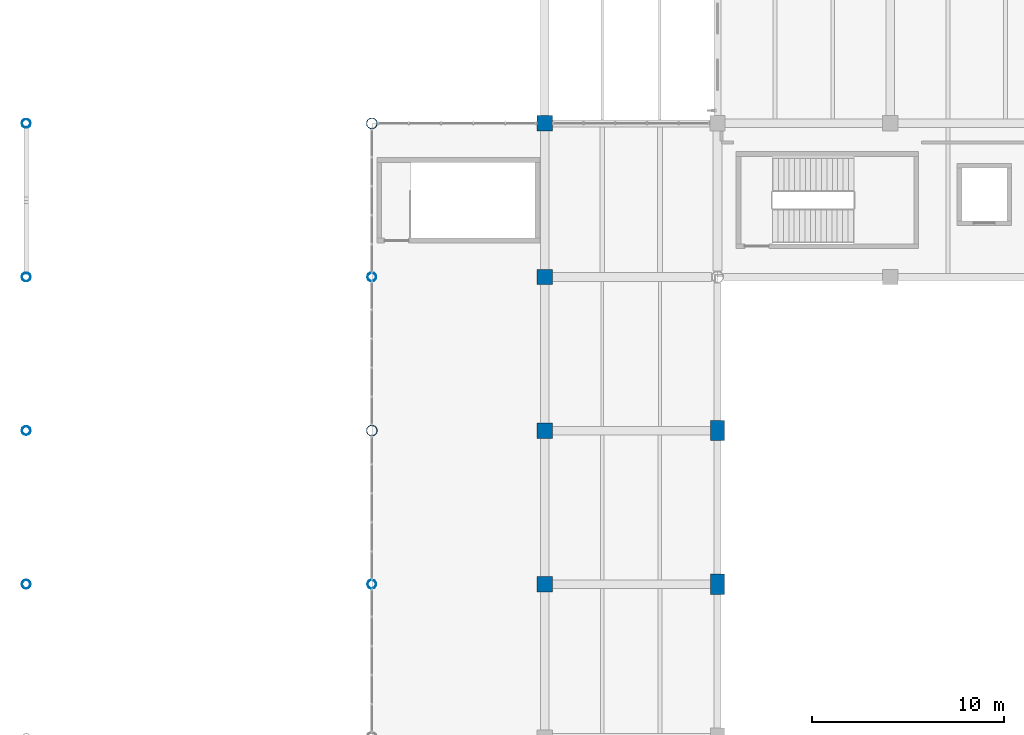
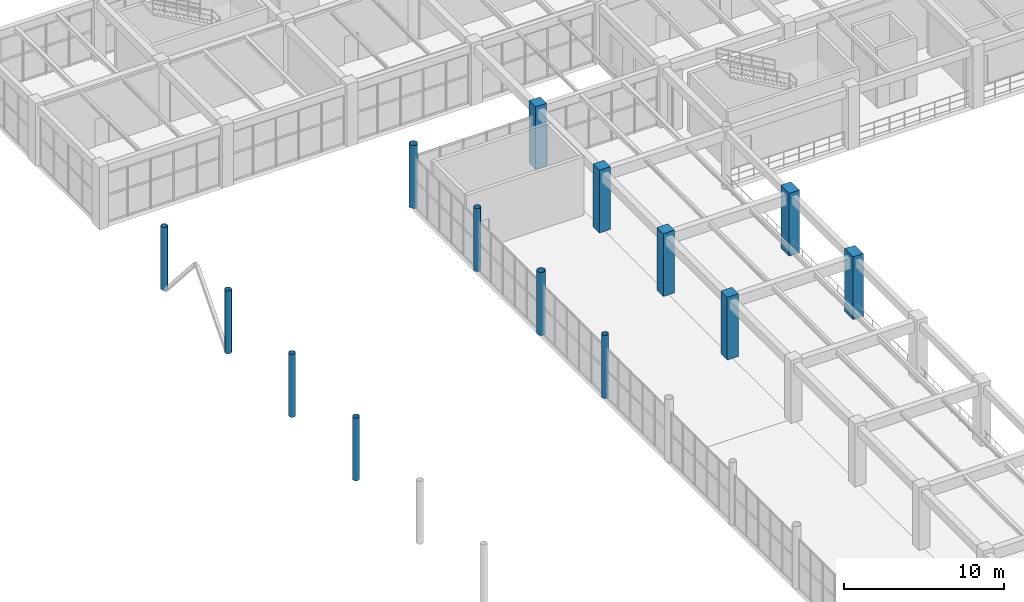
# One storey, part 7 of 178: 14 columns.
"""IFC4 building model written with IfcOpenShell, lengths in metres."""

from ifc_helpers import new_model, si_unit, derived_unit, direction, frame, origin, origin_2d, place, context, subcontext, project, spatial, rectangle, hollow_circle, extrude, material, material_profile, profile_set, type_object, element, save


model = new_model("IFC4")

# Units and contexts
model_context = context("Model", 3, precision=1e-05, world=origin(), true_north=direction((0.0, 1.0)))
body_context = subcontext(model_context, "Body", "Model", "MODEL_VIEW")
ifc_project = project(units=[si_unit("LENGTHUNIT", "METRE"), si_unit("AREAUNIT", "SQUARE_METRE"), si_unit("VOLUMEUNIT", "CUBIC_METRE"), si_unit("PLANEANGLEUNIT", "RADIAN"), si_unit("MASSUNIT", "GRAM", prefix="KILO"), derived_unit("THERMALTRANSMITTANCEUNIT", [(si_unit("MASSUNIT", "GRAM", prefix="KILO"), 1), (si_unit("TIMEUNIT", "SECOND"), -3), (si_unit("THERMODYNAMICTEMPERATUREUNIT", "KELVIN"), -1)])], contexts=[model_context])

# Site, building, storey
site_placement = place(None, origin())
site = spatial("IfcSite", under=ifc_project, at=site_placement, CompositionType="ELEMENT")
building_placement = place(site_placement, origin())
building = spatial("IfcBuilding", under=site, at=building_placement, Name="Zhenchuan Archway Interchange", CompositionType="ELEMENT")
storey_placement = place(building_placement, frame((0.0, 0.0, 5.39990234375)))
storey = spatial("IfcBuildingStorey", under=building, at=storey_placement, Name="L01", CompositionType="ELEMENT", Elevation=5.39990234375)

# Columns
ifc_material_1 = material(Name="Concrete C50", Category="concrete")
ifc_material_profile_1 = material_profile(ifc_material_1, rectangle(XDim=0.75, YDim=1.050048828125, at=origin_2d()), Name="RC 750x1050")
ifc_profile_set_1 = profile_set([ifc_material_profile_1], Name="Concrete C50")
column_type_1 = type_object("IfcColumnType", Name="COL_RC_750x1050", PredefinedType="COLUMN", material=ifc_profile_set_1)
for number, where, z_axis, x_axis, name in (
    (1, (36.0, 64.0, 0.0), (0.0, 0.0, 1.0), (1.0, 0.0, 0.0), "Column 5/J (L01)"),
    (2, (36.0, 72.0, 0.0), (0.0, 0.0, 1.0), (1.0, 0.0, 0.0), "Column 5/K (L01)"),
):
    element("IfcColumn", number, at=place(storey_placement, frame(where, z_axis=z_axis, x_axis=x_axis)), inside=storey, type_object=column_type_1, Name=name, PredefinedType="COLUMN", context=body_context, shape_type="SweptSolid", body=[
        extrude(rectangle(XDim=0.75, YDim=1.050048828125, at=origin_2d()), origin(), (0.0, 0.0, 1.0), 4.800048828125),
    ])
ifc_material_2 = material(Name="Concrete C40", Category="concrete")
ifc_material_profile_2 = material_profile(ifc_material_2, rectangle(XDim=0.800048828125, YDim=0.800048828125, at=origin_2d()), Name="RC 800x800")
ifc_profile_set_2 = profile_set([ifc_material_profile_2], Name="Concrete C40")
column_type_2 = type_object("IfcColumnType", Name="COL_RC_800", PredefinedType="COLUMN", material=ifc_profile_set_2)
for number, where, z_axis, x_axis, name in (
    (3, (27.0, 64.0, 0.0), (0.0, 0.0, 1.0), (1.0, 0.0, 0.0), "Column 4/J (L01)"),
    (4, (27.0, 72.0, 0.0), (0.0, 0.0, 1.0), (1.0, 0.0, 0.0), "Column 4/K (L01)"),
    (5, (27.0, 80.0, 0.0), (0.0, 0.0, 1.0), (1.0, 0.0, 0.0), "Column 4/L (L01)"),
    (6, (27.0, 88.0, 0.0), (0.0, 0.0, 1.0), (1.0, 0.0, 0.0), "Column 4/M (L01)"),
):
    element("IfcColumn", number, at=place(storey_placement, frame(where, z_axis=z_axis, x_axis=x_axis)), inside=storey, type_object=column_type_2, Name=name, PredefinedType="COLUMN", context=body_context, shape_type="SweptSolid", body=[
        extrude(rectangle(XDim=0.800048828125, YDim=0.800048828125, at=origin_2d()), origin(), (0.0, 0.0, 1.0), 4.800048828125),
    ])
ifc_material_3 = material(Name="Steel Q390", Category="steel")
ifc_material_profile_3 = material_profile(ifc_material_3, hollow_circle(Radius=0.228515625, WallThickness=0.01611328125, at=origin_2d()), Name="CHS 457x16")
ifc_profile_set_3 = profile_set([ifc_material_profile_3], Name="Steel Q390")
column_type_3 = type_object("IfcColumnType", Name="COL_STL_CHS457", PredefinedType="COLUMN", material=ifc_profile_set_3)
for number, where, z_axis, x_axis, name in (
    (7, (0.0, 64.0, 0.0), (0.0, 0.0, 1.0), (1.0, 0.0, 0.0), "Column 1/J (L01)"),
    (8, (0.0, 72.0, 0.0), (0.0, 0.0, 1.0), (1.0, 0.0, 0.0), "Column 1/K (L01)"),
    (9, (0.0, 80.0, 0.0), (0.0, 0.0, 1.0), (1.0, 0.0, 0.0), "Column 1/L (L01)"),
    (10, (0.0, 88.0, 0.0), (0.0, 0.0, 1.0), (1.0, 0.0, 0.0), "Column 1/M (L01)"),
    (11, (18.0, 64.0, 0.0), (0.0, 0.0, 1.0), (1.0, 0.0, 0.0), "Column 3/J (L01)"),
    (12, (18.0, 80.0, 0.0), (0.0, 0.0, 1.0), (1.0, 0.0, 0.0), "Column 3/L (L01)"),
):
    element("IfcColumn", number, at=place(storey_placement, frame(where, z_axis=z_axis, x_axis=x_axis)), inside=storey, type_object=column_type_3, Name=name, PredefinedType="COLUMN", context=body_context, shape_type="SweptSolid", body=[
        extrude(hollow_circle(Radius=0.228515625, WallThickness=0.01611328125, at=origin_2d()), origin(), (0.0, 0.0, 1.0), 4.800048828125),
    ])
ifc_material_profile_4 = material_profile(ifc_material_3, hollow_circle(Radius=0.279541015625, WallThickness=0.01806640625, at=origin_2d()), Name="CHS 559x18")
ifc_profile_set_4 = profile_set([ifc_material_profile_4], Name="Steel Q390")
column_type_4 = type_object("IfcColumnType", Name="COL_STL_CHS559", PredefinedType="COLUMN", material=ifc_profile_set_4)
for number, where, z_axis, x_axis, name in (
    (13, (18.0, 72.0, 0.0), (0.0, 0.0, 1.0), (1.0, 0.0, 0.0), "Column 3/K (L01)"),
    (14, (18.0, 88.0, 0.0), (0.0, 0.0, 1.0), (1.0, 0.0, 0.0), "Column 3/M (L01)"),
):
    element("IfcColumn", number, at=place(storey_placement, frame(where, z_axis=z_axis, x_axis=x_axis)), inside=storey, type_object=column_type_4, Name=name, PredefinedType="COLUMN", context=body_context, shape_type="SweptSolid", body=[
        extrude(hollow_circle(Radius=0.279541015625, WallThickness=0.01806640625, at=origin_2d()), origin(), (0.0, 0.0, 1.0), 4.800048828125),
    ])

save(model, "model.ifc")
